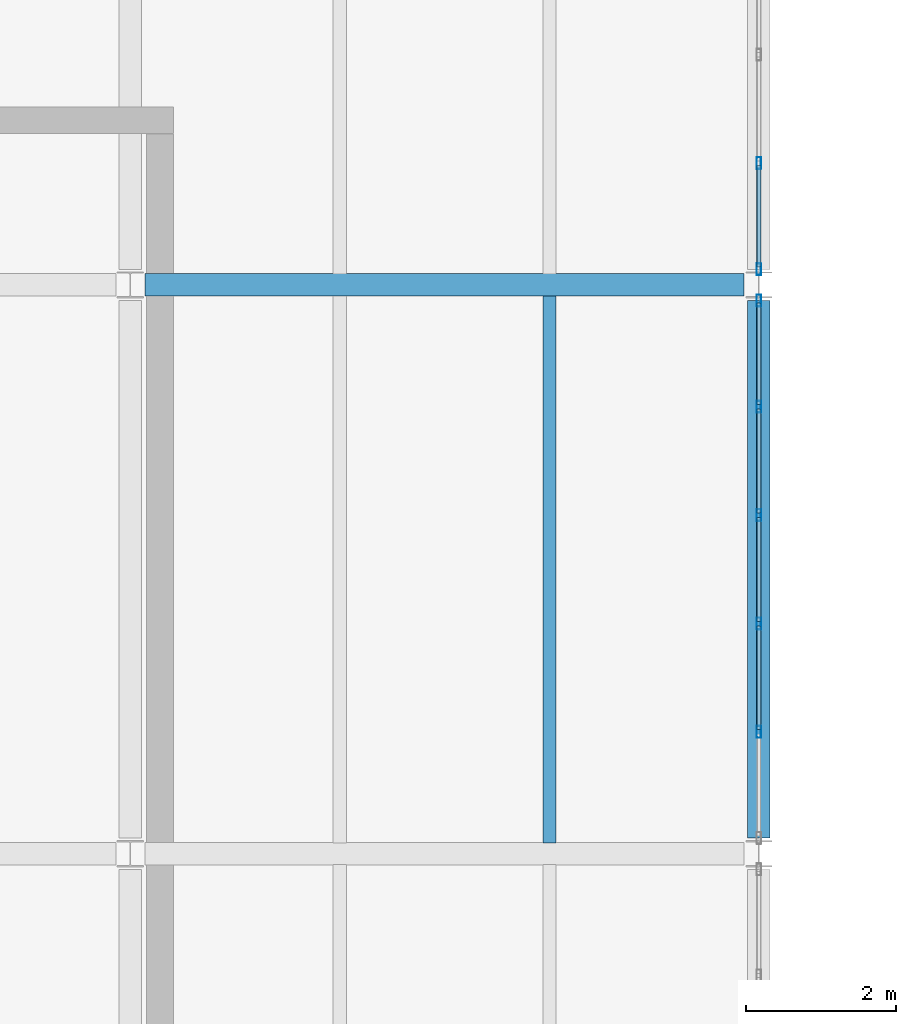
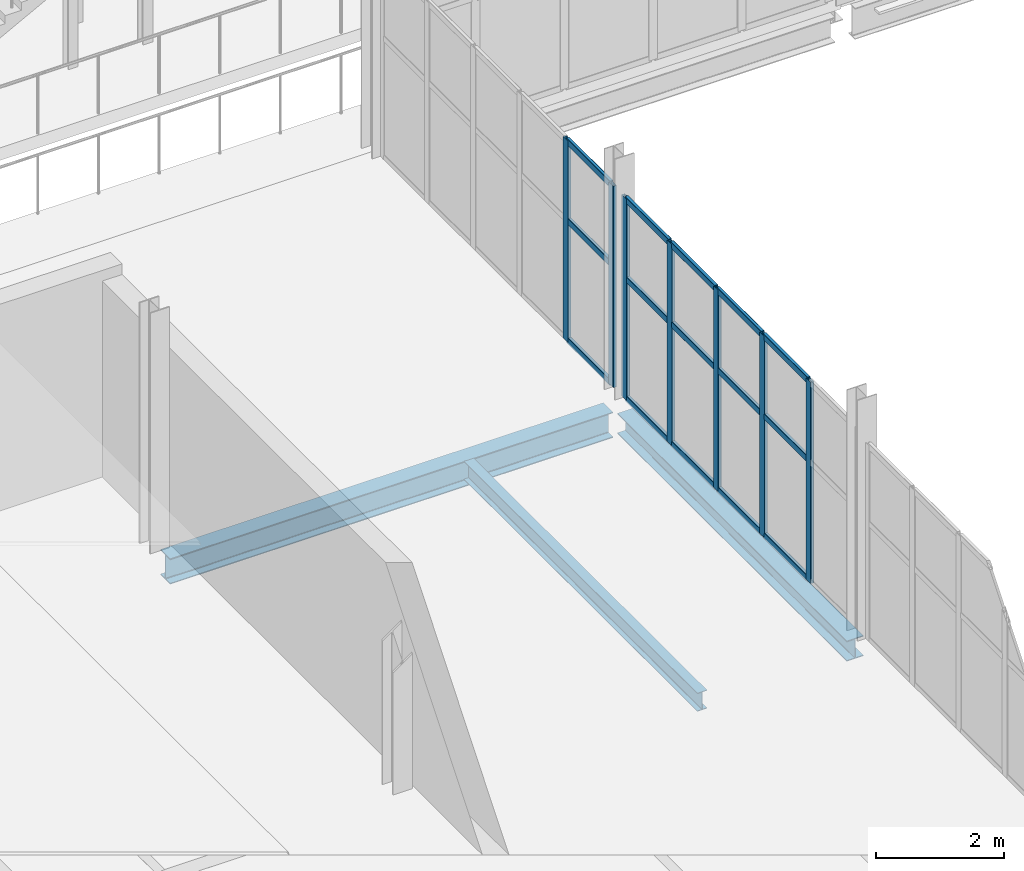
# One storey, part 38 of 172: 22 members, 3 beams, 2 elements without a shape of their own.
"""IFC4 building model written with IfcOpenShell, lengths in metres."""

from ifc_helpers import new_model, si_unit, direction, frame, origin, origin_2d, place, context, subcontext, project, spatial, hollow_rectangle, i_section, extrude, material, material_profile, profile_set, type_object, element, aggregate, save


model = new_model("IFC4")

# Units and contexts
model_context = context("Model", 3, precision=1e-05, world=origin(), true_north=direction((0.0, 1.0)))
body_context = subcontext(model_context, "Body", "Model", "MODEL_VIEW")
ifc_project = project(units=[si_unit("LENGTHUNIT", "METRE"), si_unit("AREAUNIT", "SQUARE_METRE"), si_unit("VOLUMEUNIT", "CUBIC_METRE"), si_unit("PLANEANGLEUNIT", "RADIAN"), si_unit("MASSUNIT", "GRAM", prefix="KILO")], contexts=[model_context])

# Site, building, storey
site_placement = place(None, origin())
site = spatial("IfcSite", under=ifc_project, at=site_placement, CompositionType="ELEMENT")
building_placement = place(site_placement, origin())
building = spatial("IfcBuilding", under=site, at=building_placement, Name="Shengluoqiao Park Theatre", CompositionType="ELEMENT")
storey_placement = place(building_placement, frame((0.0, 0.0, 5.39990234375)))
storey = spatial("IfcBuildingStorey", under=building, at=storey_placement, Name="L01", CompositionType="ELEMENT", Elevation=5.39990234375)

# Curtain wall, members
ifc_material_1 = material(Name="Aluminium 6063-T6", Category="aluminium")
curtain_wall_type = type_object("IfcCurtainWallType", Name="ENV-CW-COURT", PredefinedType="NOTDEFINED", material=ifc_material_1)
curtain_wall_1_placement = place(storey_placement, origin())
curtain_wall_1 = element("IfcCurtainWall", 1, at=curtain_wall_1_placement, inside=storey, type_object=curtain_wall_type, Name="L01 Curtain Wall CWX-L01-0021", PredefinedType="NOTDEFINED")
ifc_material_profile_1 = material_profile(ifc_material_1, hollow_rectangle(XDim=0.06005859375, YDim=0.159912109375, WallThickness=0.00390625, InnerFilletRadius=0.00390625, OuterFilletRadius=0.008056640625, at=origin_2d()), Name="ALU MULLION 160x60x4")
ifc_profile_set_1 = profile_set([ifc_material_profile_1], Name="Aluminium 6063-T6")
member_type_1 = type_object("IfcMemberType", Name="ENV-MUL-160", PredefinedType="MULLION", material=ifc_profile_set_1)
member_1_placement = place(storey_placement, frame((36.0, 39.62744140625, 0.0), z_axis=(0.0, 0.0, 1.0), x_axis=(-1.0, 0.0, 0.0)))
member_1 = element("IfcMember", 2, at=member_1_placement, type_object=member_type_1, Name="CW-05 mullion 2", PredefinedType="MULLION", context=body_context, shape_type="SweptSolid", body=[
    extrude(hollow_rectangle(XDim=0.06005859375, YDim=0.159912109375, WallThickness=0.00390625, InnerFilletRadius=0.00390625, OuterFilletRadius=0.008056640625, at=origin_2d()), origin(), (0.0, 0.0, 1.0), 3.85009765625),
])
member_2_placement = place(storey_placement, frame((36.0, 41.07568359375, 0.0), z_axis=(0.0, 0.0, 1.0), x_axis=(-1.0, 0.0, 0.0)))
member_2 = element("IfcMember", 3, at=member_2_placement, type_object=member_type_1, Name="CW-05 mullion 3", PredefinedType="MULLION", context=body_context, shape_type="SweptSolid", body=[
    extrude(hollow_rectangle(XDim=0.06005859375, YDim=0.159912109375, WallThickness=0.00390625, InnerFilletRadius=0.00390625, OuterFilletRadius=0.008056640625, at=origin_2d()), origin(), (0.0, 0.0, 1.0), 3.85009765625),
])
member_3_placement = place(storey_placement, frame((36.0, 42.524169921875, 0.0), z_axis=(0.0, 0.0, 1.0), x_axis=(-1.0, 0.0, 0.0)))
member_3 = element("IfcMember", 4, at=member_3_placement, type_object=member_type_1, Name="CW-05 mullion 4", PredefinedType="MULLION", context=body_context, shape_type="SweptSolid", body=[
    extrude(hollow_rectangle(XDim=0.06005859375, YDim=0.159912109375, WallThickness=0.00390625, InnerFilletRadius=0.00390625, OuterFilletRadius=0.008056640625, at=origin_2d()), origin(), (0.0, 0.0, 1.0), 3.85009765625),
])
member_4_placement = place(storey_placement, frame((36.0, 43.97265625, 0.0), z_axis=(0.0, 0.0, 1.0), x_axis=(-1.0, 0.0, 0.0)))
member_4 = element("IfcMember", 5, at=member_4_placement, type_object=member_type_1, Name="CW-05 mullion 5", PredefinedType="MULLION", context=body_context, shape_type="SweptSolid", body=[
    extrude(hollow_rectangle(XDim=0.06005859375, YDim=0.159912109375, WallThickness=0.00390625, InnerFilletRadius=0.00390625, OuterFilletRadius=0.008056640625, at=origin_2d()), origin(), (0.0, 0.0, 1.0), 3.85009765625),
])
member_5_placement = place(storey_placement, frame((36.0, 45.39111328125, 0.0), z_axis=(0.0, 0.0, 1.0), x_axis=(-1.0, 0.0, 0.0)))
member_5 = element("IfcMember", 6, at=member_5_placement, type_object=member_type_1, Name="CW-05 mullion 6", PredefinedType="MULLION", context=body_context, shape_type="SweptSolid", body=[
    extrude(hollow_rectangle(XDim=0.06005859375, YDim=0.159912109375, WallThickness=0.00390625, InnerFilletRadius=0.00390625, OuterFilletRadius=0.008056640625, at=origin_2d()), origin(), (0.0, 0.0, 1.0), 3.85009765625),
])

curtain_wall_2_placement = place(storey_placement, origin())
curtain_wall_2 = element("IfcCurtainWall", 7, at=curtain_wall_2_placement, inside=storey, type_object=curtain_wall_type, Name="L01 Curtain Wall CWX-L01-0022", PredefinedType="NOTDEFINED")
member_6_placement = place(storey_placement, frame((36.0, 45.80908203125, 0.0), z_axis=(0.0, 0.0, 1.0), x_axis=(-1.0, 0.0, 0.0)))
member_6 = element("IfcMember", 8, at=member_6_placement, type_object=member_type_1, Name="CW-05 mullion 1", PredefinedType="MULLION", context=body_context, shape_type="SweptSolid", body=[
    extrude(hollow_rectangle(XDim=0.06005859375, YDim=0.159912109375, WallThickness=0.00390625, InnerFilletRadius=0.00390625, OuterFilletRadius=0.008056640625, at=origin_2d()), origin(), (0.0, 0.0, 1.0), 3.85009765625),
])
member_7_placement = place(storey_placement, frame((36.0, 47.227294921875, 0.0), z_axis=(0.0, 0.0, 1.0), x_axis=(-1.0, 0.0, 0.0)))
member_7 = element("IfcMember", 9, at=member_7_placement, type_object=member_type_1, Name="CW-05 mullion 2", PredefinedType="MULLION", context=body_context, shape_type="SweptSolid", body=[
    extrude(hollow_rectangle(XDim=0.06005859375, YDim=0.159912109375, WallThickness=0.00390625, InnerFilletRadius=0.00390625, OuterFilletRadius=0.008056640625, at=origin_2d()), origin(), (0.0, 0.0, 1.0), 3.85009765625),
])

# Member
ifc_material_profile_2 = material_profile(ifc_material_1, hollow_rectangle(XDim=0.06005859375, YDim=0.1201171875, WallThickness=0.00390625, InnerFilletRadius=0.00390625, OuterFilletRadius=0.008056640625, at=origin_2d()), Name="ALU TRANSOM 120x60x4")
ifc_profile_set_2 = profile_set([ifc_material_profile_2], Name="Aluminium 6063-T6")
member_type_2 = type_object("IfcMemberType", Name="ENV-TRN-120", PredefinedType="USERDEFINED", material=ifc_profile_set_2)
member_8_placement = place(storey_placement, frame((36.0, 39.657470703125, 0.030029296875), z_axis=(0.0, 1.0, 0.0), x_axis=(-1.0, 0.0, 0.0)))
member_8 = element("IfcMember", 10, at=member_8_placement, type_object=member_type_2, Name="CW-05 transom 2.1", ObjectType="TRANSOM", PredefinedType="USERDEFINED", context=body_context, shape_type="SweptSolid", body=[
    extrude(hollow_rectangle(XDim=0.06005859375, YDim=0.1201171875, WallThickness=0.00390625, InnerFilletRadius=0.00390625, OuterFilletRadius=0.008056640625, at=origin_2d()), origin(), (0.0, 0.0, 1.0), 1.388427734375),
])

member_9_placement = place(storey_placement, frame((36.0, 39.657470703125, 2.31005859375), z_axis=(0.0, 1.0, 0.0), x_axis=(-1.0, 0.0, 0.0)))
member_9 = element("IfcMember", 11, at=member_9_placement, type_object=member_type_2, Name="CW-05 transom 2.2", ObjectType="TRANSOM", PredefinedType="USERDEFINED", context=body_context, shape_type="SweptSolid", body=[
    extrude(hollow_rectangle(XDim=0.06005859375, YDim=0.1201171875, WallThickness=0.00390625, InnerFilletRadius=0.00390625, OuterFilletRadius=0.008056640625, at=origin_2d()), origin(), (0.0, 0.0, 1.0), 1.388427734375),
])

member_10_placement = place(storey_placement, frame((36.0, 39.657470703125, 3.820068359375), z_axis=(0.0, 1.0, 0.0), x_axis=(-1.0, 0.0, 0.0)))
member_10 = element("IfcMember", 12, at=member_10_placement, type_object=member_type_2, Name="CW-05 transom 2.3", ObjectType="TRANSOM", PredefinedType="USERDEFINED", context=body_context, shape_type="SweptSolid", body=[
    extrude(hollow_rectangle(XDim=0.06005859375, YDim=0.1201171875, WallThickness=0.00390625, InnerFilletRadius=0.00390625, OuterFilletRadius=0.008056640625, at=origin_2d()), origin(), (0.0, 0.0, 1.0), 1.388427734375),
])

member_11_placement = place(storey_placement, frame((36.0, 41.105712890625, 0.030029296875), z_axis=(0.0, 1.0, 0.0), x_axis=(-1.0, 0.0, 0.0)))
member_11 = element("IfcMember", 13, at=member_11_placement, type_object=member_type_2, Name="CW-05 transom 3.1", ObjectType="TRANSOM", PredefinedType="USERDEFINED", context=body_context, shape_type="SweptSolid", body=[
    extrude(hollow_rectangle(XDim=0.06005859375, YDim=0.1201171875, WallThickness=0.00390625, InnerFilletRadius=0.00390625, OuterFilletRadius=0.008056640625, at=origin_2d()), origin(), (0.0, 0.0, 1.0), 1.388427734375),
])

member_12_placement = place(storey_placement, frame((36.0, 41.105712890625, 2.31005859375), z_axis=(0.0, 1.0, 0.0), x_axis=(-1.0, 0.0, 0.0)))
member_12 = element("IfcMember", 14, at=member_12_placement, type_object=member_type_2, Name="CW-05 transom 3.2", ObjectType="TRANSOM", PredefinedType="USERDEFINED", context=body_context, shape_type="SweptSolid", body=[
    extrude(hollow_rectangle(XDim=0.06005859375, YDim=0.1201171875, WallThickness=0.00390625, InnerFilletRadius=0.00390625, OuterFilletRadius=0.008056640625, at=origin_2d()), origin(), (0.0, 0.0, 1.0), 1.388427734375),
])

member_13_placement = place(storey_placement, frame((36.0, 41.105712890625, 3.820068359375), z_axis=(0.0, 1.0, 0.0), x_axis=(-1.0, 0.0, 0.0)))
member_13 = element("IfcMember", 15, at=member_13_placement, type_object=member_type_2, Name="CW-05 transom 3.3", ObjectType="TRANSOM", PredefinedType="USERDEFINED", context=body_context, shape_type="SweptSolid", body=[
    extrude(hollow_rectangle(XDim=0.06005859375, YDim=0.1201171875, WallThickness=0.00390625, InnerFilletRadius=0.00390625, OuterFilletRadius=0.008056640625, at=origin_2d()), origin(), (0.0, 0.0, 1.0), 1.388427734375),
])

member_14_placement = place(storey_placement, frame((36.0, 42.55419921875, 0.030029296875), z_axis=(0.0, 1.0, 0.0), x_axis=(-1.0, 0.0, 0.0)))
member_14 = element("IfcMember", 16, at=member_14_placement, type_object=member_type_2, Name="CW-05 transom 4.1", ObjectType="TRANSOM", PredefinedType="USERDEFINED", context=body_context, shape_type="SweptSolid", body=[
    extrude(hollow_rectangle(XDim=0.06005859375, YDim=0.1201171875, WallThickness=0.00390625, InnerFilletRadius=0.00390625, OuterFilletRadius=0.008056640625, at=origin_2d()), origin(), (0.0, 0.0, 1.0), 1.388427734375),
])

member_15_placement = place(storey_placement, frame((36.0, 42.55419921875, 2.31005859375), z_axis=(0.0, 1.0, 0.0), x_axis=(-1.0, 0.0, 0.0)))
member_15 = element("IfcMember", 17, at=member_15_placement, type_object=member_type_2, Name="CW-05 transom 4.2", ObjectType="TRANSOM", PredefinedType="USERDEFINED", context=body_context, shape_type="SweptSolid", body=[
    extrude(hollow_rectangle(XDim=0.06005859375, YDim=0.1201171875, WallThickness=0.00390625, InnerFilletRadius=0.00390625, OuterFilletRadius=0.008056640625, at=origin_2d()), origin(), (0.0, 0.0, 1.0), 1.388427734375),
])

member_16_placement = place(storey_placement, frame((36.0, 42.55419921875, 3.820068359375), z_axis=(0.0, 1.0, 0.0), x_axis=(-1.0, 0.0, 0.0)))
member_16 = element("IfcMember", 18, at=member_16_placement, type_object=member_type_2, Name="CW-05 transom 4.3", ObjectType="TRANSOM", PredefinedType="USERDEFINED", context=body_context, shape_type="SweptSolid", body=[
    extrude(hollow_rectangle(XDim=0.06005859375, YDim=0.1201171875, WallThickness=0.00390625, InnerFilletRadius=0.00390625, OuterFilletRadius=0.008056640625, at=origin_2d()), origin(), (0.0, 0.0, 1.0), 1.388427734375),
])

member_17_placement = place(storey_placement, frame((36.0, 44.002685546875, 0.030029296875), z_axis=(0.0, 1.0, 0.0), x_axis=(-1.0, 0.0, 0.0)))
member_17 = element("IfcMember", 19, at=member_17_placement, type_object=member_type_2, Name="CW-05 transom 5.1", ObjectType="TRANSOM", PredefinedType="USERDEFINED", context=body_context, shape_type="SweptSolid", body=[
    extrude(hollow_rectangle(XDim=0.06005859375, YDim=0.1201171875, WallThickness=0.00390625, InnerFilletRadius=0.00390625, OuterFilletRadius=0.008056640625, at=origin_2d()), origin(), (0.0, 0.0, 1.0), 1.3583984375),
])

member_18_placement = place(storey_placement, frame((36.0, 44.002685546875, 2.31005859375), z_axis=(0.0, 1.0, 0.0), x_axis=(-1.0, 0.0, 0.0)))
member_18 = element("IfcMember", 20, at=member_18_placement, type_object=member_type_2, Name="CW-05 transom 5.2", ObjectType="TRANSOM", PredefinedType="USERDEFINED", context=body_context, shape_type="SweptSolid", body=[
    extrude(hollow_rectangle(XDim=0.06005859375, YDim=0.1201171875, WallThickness=0.00390625, InnerFilletRadius=0.00390625, OuterFilletRadius=0.008056640625, at=origin_2d()), origin(), (0.0, 0.0, 1.0), 1.3583984375),
])

member_19_placement = place(storey_placement, frame((36.0, 44.002685546875, 3.820068359375), z_axis=(0.0, 1.0, 0.0), x_axis=(-1.0, 0.0, 0.0)))
member_19 = element("IfcMember", 21, at=member_19_placement, type_object=member_type_2, Name="CW-05 transom 5.3", ObjectType="TRANSOM", PredefinedType="USERDEFINED", context=body_context, shape_type="SweptSolid", body=[
    extrude(hollow_rectangle(XDim=0.06005859375, YDim=0.1201171875, WallThickness=0.00390625, InnerFilletRadius=0.00390625, OuterFilletRadius=0.008056640625, at=origin_2d()), origin(), (0.0, 0.0, 1.0), 1.3583984375),
])

aggregate(curtain_wall_1, [member_1, member_2, member_3, member_4, member_5, member_8, member_9, member_10, member_11, member_12, member_13, member_14, member_15, member_16, member_17, member_18, member_19])

member_20_placement = place(storey_placement, frame((36.0, 45.839111328125, 0.030029296875), z_axis=(0.0, 1.0, 0.0), x_axis=(-1.0, 0.0, 0.0)))
member_20 = element("IfcMember", 22, at=member_20_placement, type_object=member_type_2, Name="CW-05 transom 1.1", ObjectType="TRANSOM", PredefinedType="USERDEFINED", context=body_context, shape_type="SweptSolid", body=[
    extrude(hollow_rectangle(XDim=0.06005859375, YDim=0.1201171875, WallThickness=0.00390625, InnerFilletRadius=0.00390625, OuterFilletRadius=0.008056640625, at=origin_2d()), origin(), (0.0, 0.0, 1.0), 1.3583984375),
])

member_21_placement = place(storey_placement, frame((36.0, 45.839111328125, 2.31005859375), z_axis=(0.0, 1.0, 0.0), x_axis=(-1.0, 0.0, 0.0)))
member_21 = element("IfcMember", 23, at=member_21_placement, type_object=member_type_2, Name="CW-05 transom 1.2", ObjectType="TRANSOM", PredefinedType="USERDEFINED", context=body_context, shape_type="SweptSolid", body=[
    extrude(hollow_rectangle(XDim=0.06005859375, YDim=0.1201171875, WallThickness=0.00390625, InnerFilletRadius=0.00390625, OuterFilletRadius=0.008056640625, at=origin_2d()), origin(), (0.0, 0.0, 1.0), 1.3583984375),
])

member_22_placement = place(storey_placement, frame((36.0, 45.839111328125, 3.820068359375), z_axis=(0.0, 1.0, 0.0), x_axis=(-1.0, 0.0, 0.0)))
member_22 = element("IfcMember", 24, at=member_22_placement, type_object=member_type_2, Name="CW-05 transom 1.3", ObjectType="TRANSOM", PredefinedType="USERDEFINED", context=body_context, shape_type="SweptSolid", body=[
    extrude(hollow_rectangle(XDim=0.06005859375, YDim=0.1201171875, WallThickness=0.00390625, InnerFilletRadius=0.00390625, OuterFilletRadius=0.008056640625, at=origin_2d()), origin(), (0.0, 0.0, 1.0), 1.3583984375),
])

aggregate(curtain_wall_2, [member_6, member_7, member_20, member_21, member_22])

# Beams
ifc_material_2 = material(Name="Steel Q355", Category="steel")
ifc_material_profile_3 = material_profile(ifc_material_2, i_section(OverallWidth=0.300048828125, OverallDepth=0.389892578125, WebThickness=0.010009765625, FlangeThickness=0.01611328125, FilletRadius=0.01806640625, at=origin_2d()), Name="HM 390x300x10x16")
ifc_profile_set_3 = profile_set([ifc_material_profile_3], Name="Steel Q355")
beam_type_1 = type_object("IfcBeamType", Name="STR-BM-G-HM390", PredefinedType="BEAM", material=ifc_profile_set_3)
beam_1_placement = place(storey_placement, frame((36.0, 38.2080078125, -0.434814453125), z_axis=(0.0, 1.0, 0.0), x_axis=(-1.0, 0.0, 0.0)))
element("IfcBeam", 25, at=beam_1_placement, inside=storey, type_object=beam_type_1, Name="L01 Transverse Girder 00400", PredefinedType="BEAM", context=body_context, shape_type="SweptSolid", body=[
    extrude(i_section(OverallWidth=0.300048828125, OverallDepth=0.389892578125, WebThickness=0.010009765625, FlangeThickness=0.01611328125, FilletRadius=0.01806640625, at=origin_2d()), origin(), (0.0, 0.0, 1.0), 7.18408203125),
])
ifc_material_profile_4 = material_profile(ifc_material_2, i_section(OverallWidth=0.300048828125, OverallDepth=0.488037109375, WebThickness=0.010986328125, FlangeThickness=0.01806640625, FilletRadius=0.02197265625, at=origin_2d()), Name="HM 488x300x11x18")
ifc_profile_set_4 = profile_set([ifc_material_profile_4], Name="Steel Q355")
beam_type_2 = type_object("IfcBeamType", Name="STR-BM-G-HM488", PredefinedType="BEAM", material=ifc_profile_set_4)
beam_2_placement = place(storey_placement, frame((27.797607421875, 45.60009765625, -0.48388671875), z_axis=(1.0, 0.0, 0.0), x_axis=(0.0, 1.0, 0.0)))
element("IfcBeam", 26, at=beam_2_placement, inside=storey, type_object=beam_type_2, Name="L01 Primary Girder 00394", PredefinedType="BEAM", context=body_context, shape_type="SweptSolid", body=[
    extrude(i_section(OverallWidth=0.300048828125, OverallDepth=0.488037109375, WebThickness=0.010986328125, FlangeThickness=0.01806640625, FilletRadius=0.02197265625, at=origin_2d()), origin(), (0.0, 0.0, 1.0), 8.0048828125),
])
ifc_material_profile_5 = material_profile(ifc_material_2, i_section(OverallWidth=0.175048828125, OverallDepth=0.35009765625, WebThickness=0.007080078125, FlangeThickness=0.010986328125, FilletRadius=0.013916015625, at=origin_2d()), Name="HN 350x175x7x11")
ifc_profile_set_5 = profile_set([ifc_material_profile_5], Name="Steel Q355")
beam_type_3 = type_object("IfcBeamType", Name="STR-BM-J-HN350", PredefinedType="JOIST", material=ifc_profile_set_5)
beam_3_placement = place(storey_placement, frame((33.199951171875, 38.14501953125, -0.414794921875), z_axis=(0.0, 1.0, 0.0), x_axis=(-1.0, 0.0, 0.0)))
element("IfcBeam", 27, at=beam_3_placement, inside=storey, type_object=beam_type_3, Name="L01 Composite Joist 00412", PredefinedType="JOIST", context=body_context, shape_type="SweptSolid", body=[
    extrude(i_section(OverallWidth=0.175048828125, OverallDepth=0.35009765625, WebThickness=0.007080078125, FlangeThickness=0.010986328125, FilletRadius=0.013916015625, at=origin_2d()), origin(), (0.0, 0.0, 1.0), 7.31005859375),
])

save(model, "model.ifc")
